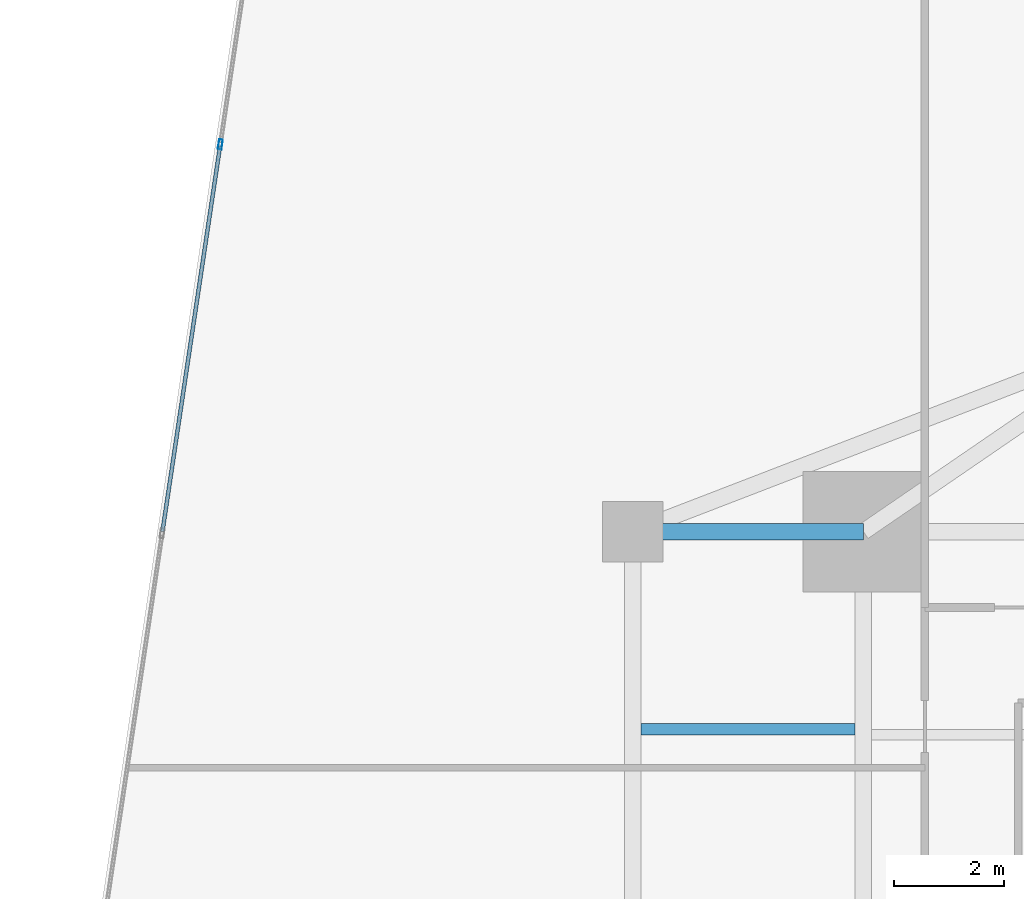
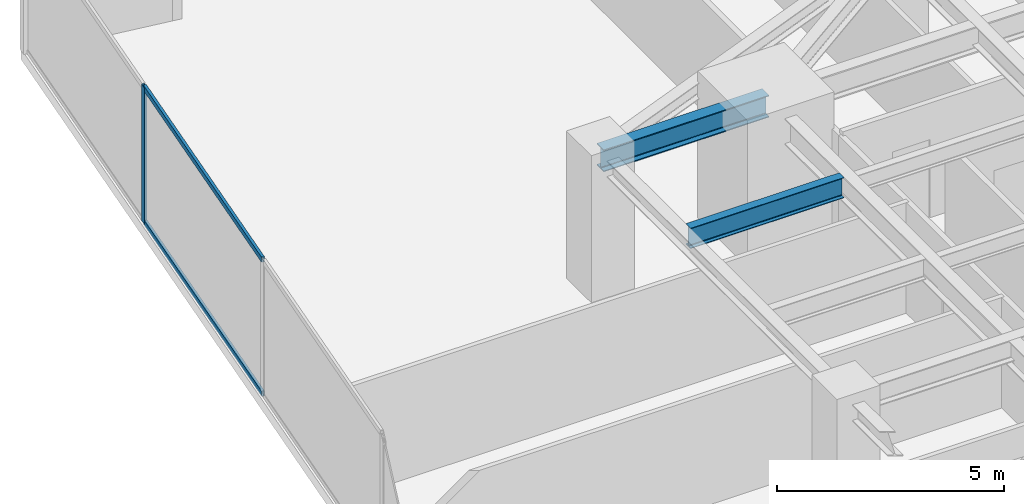
# One storey, part 16 of 29: 3 members, 2 beams, 1 element without a shape of its own.
"""IFC4 building model written with IfcOpenShell, lengths in metres."""

from ifc_helpers import new_model, si_unit, direction, frame, origin, origin_2d, place, context, subcontext, project, spatial, hollow_rectangle, i_section, extrude, source, transform, mapped, material, material_profile, profile_set, type_object, type_shapes, element, aggregate, save


model = new_model("IFC4")

# Units and contexts
model_context = context("Model", 3, precision=1e-05, world=origin(), true_north=direction((0.0, 1.0)))
body_context = subcontext(model_context, "Body", "Model", "MODEL_VIEW")
ifc_project = project(units=[si_unit("LENGTHUNIT", "METRE"), si_unit("AREAUNIT", "SQUARE_METRE"), si_unit("VOLUMEUNIT", "CUBIC_METRE"), si_unit("PLANEANGLEUNIT", "RADIAN"), si_unit("MASSUNIT", "GRAM", prefix="KILO")], contexts=[model_context])

# Site, building, storey
site_placement = place(None, origin())
site = spatial("IfcSite", under=ifc_project, at=site_placement, CompositionType="ELEMENT")
building_placement = place(site_placement, origin())
building = spatial("IfcBuilding", under=site, at=building_placement, Name="Krantzveldt Concourse Tower", CompositionType="ELEMENT")
storey_placement = place(building_placement, frame((0.0, 0.0, 68.449951171875)))
storey = spatial("IfcBuildingStorey", under=building, at=storey_placement, Name="L16", CompositionType="ELEMENT", Elevation=68.449951171875)

# Beams
ifc_material_1 = material(Name="Steel S355JR", Category="steel")
ifc_material_profile_1 = material_profile(ifc_material_1, i_section(OverallWidth=0.300048828125, OverallDepth=0.590087890625, WebThickness=0.012939453125, FlangeThickness=0.02490234375, FilletRadius=0.027099609375, at=origin_2d()), Name="Steel S355JR", Category="steel")
ifc_profile_set_1 = profile_set([ifc_material_profile_1], Name="Steel S355JR - HEA 600")
beam_type_1 = type_object("IfcBeamType", Name="BM-B-HEA600", PredefinedType="BEAM", material=ifc_profile_set_1)
shared_shape_1 = source(origin(), body_context, "Body", "SweptSolid", [
    extrude(i_section(OverallWidth=0.300048828125, OverallDepth=0.590087890625, WebThickness=0.012939453125, FlangeThickness=0.02490234375, FilletRadius=0.027099609375, at=origin_2d()), origin(), (0.0, 0.0, 1.0), 4.199951171875),
])
type_shapes(beam_type_1, [shared_shape_1])
beam_1_placement = place(storey_placement, frame((21.0, 37.5, 3.375), z_axis=(1.0, 0.0, 0.0), x_axis=(0.0, 1.0, 0.0)))
element("IfcBeam", 1, at=beam_1_placement, inside=storey, type_object=beam_type_1, Name="L16 Tower Girder BR-RL3", PredefinedType="BEAM", context=body_context, shape_type="MappedRepresentation", body=[
    mapped(shared_shape_1, transform((0.0, 0.0, 0.0), x_axis=(1.0, 0.0, 0.0), y_axis=(0.0, 1.0, 0.0), z_axis=(0.0, 0.0, 1.0), scale=1.0)),
])
ifc_material_profile_2 = material_profile(ifc_material_1, i_section(OverallWidth=0.2099609375, OverallDepth=0.550048828125, WebThickness=0.010986328125, FlangeThickness=0.01708984375, FilletRadius=0.02392578125, at=origin_2d()), Name="Steel S355JR", Category="steel")
ifc_profile_set_2 = profile_set([ifc_material_profile_2], Name="Steel S355JR - IPE 550")
beam_type_2 = type_object("IfcBeamType", Name="BM-J-IPE550", PredefinedType="JOIST", material=ifc_profile_set_2)
shared_shape_2 = source(origin(), body_context, "Body", "SweptSolid", [
    extrude(i_section(OverallWidth=0.2099609375, OverallDepth=0.550048828125, WebThickness=0.010986328125, FlangeThickness=0.01708984375, FilletRadius=0.02392578125, at=origin_2d()), origin(), (0.0, 0.0, 1.0), 3.900146484375),
])
type_shapes(beam_type_2, [shared_shape_2])
beam_2_placement = place(storey_placement, frame((21.14990234375, 33.89990234375, 3.39501953125), z_axis=(1.0, 0.0, 0.0), x_axis=(0.0, 1.0, 0.0)))
element("IfcBeam", 2, at=beam_2_placement, inside=storey, type_object=beam_type_2, Name="L16 Secondary Floor Joist JW-4", PredefinedType="JOIST", context=body_context, shape_type="MappedRepresentation", body=[
    mapped(shared_shape_2, transform((0.0, 0.0, 0.0), x_axis=(1.0, 0.0, 0.0), y_axis=(0.0, 1.0, 0.0), z_axis=(0.0, 0.0, 1.0), scale=1.0)),
])

# Curtain wall, members
ifc_material_2 = material(Name="Anodised aluminium 6063-T6", Category="aluminium")
curtain_wall_type = type_object("IfcCurtainWallType", Name="CW2", PredefinedType="USERDEFINED", material=ifc_material_2)
curtain_wall_placement = place(storey_placement, origin())
curtain_wall = element("IfcCurtainWall", 3, at=curtain_wall_placement, inside=storey, type_object=curtain_wall_type, Name="CW-L16-F01", ObjectType="UNITISED CURTAIN WALL", PredefinedType="USERDEFINED")
ifc_material_profile_3 = material_profile(ifc_material_2, hollow_rectangle(XDim=0.070068359375, YDim=0.139892578125, WallThickness=0.0048828125, at=origin_2d()), Name="Anodised aluminium 6063-T6", Category="aluminium")
ifc_profile_set_3 = profile_set([ifc_material_profile_3], Name="Anodised aluminium 6063-T6 - ALU-TRAN 140x70x5")
member_type_1 = type_object("IfcMemberType", Name="CW-TRN-150", PredefinedType="USERDEFINED", material=ifc_profile_set_3)
shared_shape_3 = source(origin(), body_context, "Body", "SweptSolid", [
    extrude(hollow_rectangle(XDim=0.070068359375, YDim=0.139892578125, WallThickness=0.0048828125, at=origin_2d()), origin(), (0.0, 0.0, 1.0), 7.0966796875),
])
type_shapes(member_type_1, [shared_shape_3])
member_1_placement = place(storey_placement, frame((13.47705078125, 44.523193359375, 0.03515625), z_axis=(-0.147823987056, -0.989013684865, 0.0), x_axis=(0.989013684865, -0.147823987056, 0.0)))
member_1 = element("IfcMember", 4, at=member_1_placement, type_object=member_type_1, Name="CW-Z12 transom 2.1", ObjectType="TRANSOM", PredefinedType="USERDEFINED", context=body_context, shape_type="MappedRepresentation", body=[
    mapped(shared_shape_3, transform((0.0, 0.0, 0.0), x_axis=(1.0, 0.0, 0.0), y_axis=(0.0, 1.0, 0.0), z_axis=(0.0, 0.0, 1.0), scale=1.0)),
])
member_2_placement = place(storey_placement, frame((13.47705078125, 44.523193359375, 3.635009765625), z_axis=(-0.147823987056, -0.989013684865, 0.0), x_axis=(0.989013684865, -0.147823987056, 0.0)))
member_2 = element("IfcMember", 5, at=member_2_placement, type_object=member_type_1, Name="CW-Z12 transom 2.2", ObjectType="TRANSOM", PredefinedType="USERDEFINED", context=body_context, shape_type="MappedRepresentation", body=[
    mapped(shared_shape_3, transform((0.0, 0.0, 0.0), x_axis=(1.0, 0.0, 0.0), y_axis=(0.0, 1.0, 0.0), z_axis=(0.0, 0.0, 1.0), scale=1.0)),
])
ifc_material_profile_4 = material_profile(ifc_material_2, hollow_rectangle(XDim=0.070068359375, YDim=0.179931640625, WallThickness=0.0048828125, at=origin_2d()), Name="Anodised aluminium 6063-T6", Category="aluminium")
ifc_profile_set_4 = profile_set([ifc_material_profile_4], Name="Anodised aluminium 6063-T6 - ALU-MULL 180x70x5")
member_type_2 = type_object("IfcMemberType", Name="CW-MUL-180", PredefinedType="MULLION", material=ifc_profile_set_4)
shared_shape_4 = source(origin(), body_context, "Body", "SweptSolid", [
    extrude(hollow_rectangle(XDim=0.070068359375, YDim=0.179931640625, WallThickness=0.0048828125, at=origin_2d()), origin(), (0.0, 0.0, 1.0), 3.670166015625),
])
type_shapes(member_type_2, [shared_shape_4])
member_3_placement = place(storey_placement, frame((13.482177734375, 44.557861328125, 0.0), z_axis=(0.0, 0.0, 1.0), x_axis=(0.989015849271, -0.147809505412, 0.0)))
member_3 = element("IfcMember", 6, at=member_3_placement, type_object=member_type_2, Name="CW-Z12 mullion 2", PredefinedType="MULLION", context=body_context, shape_type="MappedRepresentation", body=[
    mapped(shared_shape_4, transform((0.0, 0.0, 0.0), x_axis=(1.0, 0.0, 0.0), y_axis=(0.0, 1.0, 0.0), z_axis=(0.0, 0.0, 1.0), scale=1.0)),
])
aggregate(curtain_wall, [member_3, member_1, member_2])

save(model, "model.ifc")
